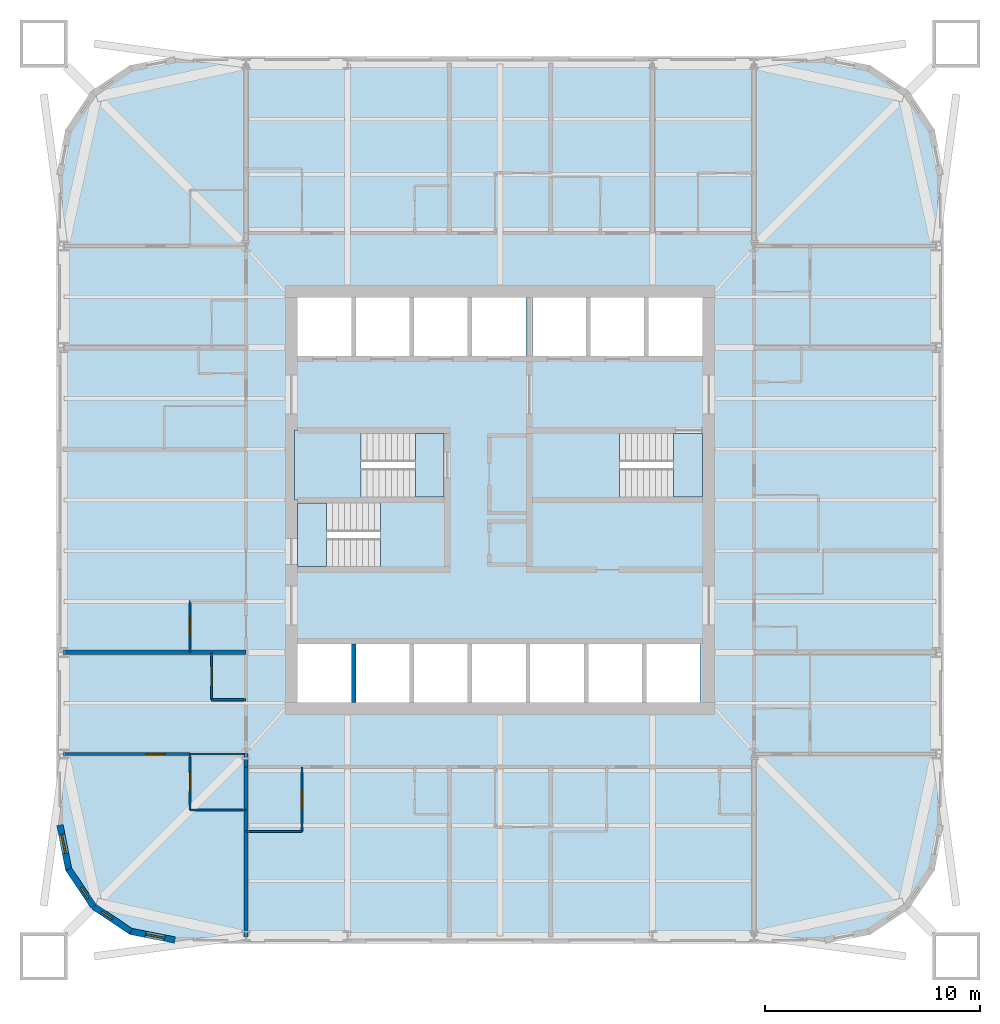
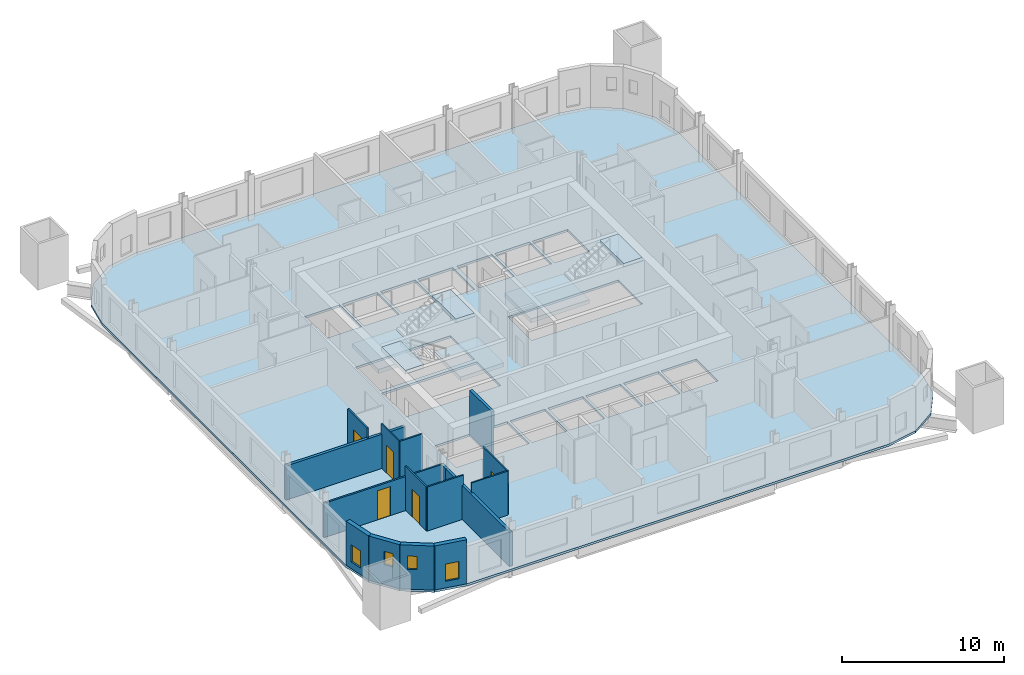
# One storey, part 2 of 9: 17 walls, 7 slabs, 5 doors, 4 windows, 9 openings, 3 elements without a shape of their own.
"""IFC4 building model written with IfcOpenShell, lengths in metres."""

from ifc_helpers import new_model, si_unit, direction, frame, frame_2d, origin, place, context, subcontext, project, spatial, polyline, rectangle, outline, extrude, material, layer, layer_set, type_object, element, fill, aggregate, save


model = new_model("IFC4")

# Units and contexts
model_context = context("Model", 3, precision=1e-05, world=origin(), true_north=direction((0.0, 1.0)))
body_context = subcontext(model_context, "Body", "Model", "MODEL_VIEW")
ifc_project = project(units=[si_unit("LENGTHUNIT", "METRE"), si_unit("AREAUNIT", "SQUARE_METRE"), si_unit("VOLUMEUNIT", "CUBIC_METRE"), si_unit("PLANEANGLEUNIT", "RADIAN"), si_unit("MASSUNIT", "GRAM", prefix="KILO")], contexts=[model_context])

# Site, building, storey
site_placement = place(None, origin())
site = spatial("IfcSite", under=ifc_project, at=site_placement, CompositionType="ELEMENT")
building_placement = place(site_placement, origin())
building = spatial("IfcBuilding", under=site, at=building_placement, Name="Turquesa Mirador Hotel Tower", CompositionType="ELEMENT")
storey_placement = place(building_placement, frame((0.0, 0.0, 96.89990234375)))
storey = spatial("IfcBuildingStorey", under=building, at=storey_placement, Name="L25", CompositionType="ELEMENT", Elevation=96.89990234375)

# Slab
ifc_material_1 = material(Name="Concrete C28/35", Category="concrete")
ifc_layer_1 = layer(ifc_material_1, 0.169921875)
ifc_layer_set_1 = layer_set([ifc_layer_1], Name="COMPOSITE FLOOR SLAB 170")
slab_type_1 = type_object("IfcSlabType", Name="COMPOSITE FLOOR SLAB 170", PredefinedType="FLOOR", material=ifc_layer_set_1)
slab_1_placement = place(storey_placement, frame((0.0, 0.0, -0.169921875)))
element("IfcSlab", 1, at=slab_1_placement, inside=storey, type_object=slab_type_1, Name="Floor slab L25", PredefinedType="FLOOR", context=body_context, shape_type="SweptSolid", body=[
    extrude(outline(polyline([(70.10009765625, 24.39990234375), (72.204833984375, 24.818603515625), (73.989013671875, 26.010986328125), (75.181396484375, 27.795166015625), (75.60009765625, 29.89990234375), (75.60009765625, 60.10009765625), (75.181396484375, 62.204833984375), (73.989013671875, 63.989013671875), (72.204833984375, 65.181396484375), (70.10009765625, 65.60009765625), (39.89990234375, 65.60009765625), (37.795166015625, 65.181396484375), (36.010986328125, 63.989013671875), (34.818603515625, 62.204833984375), (34.39990234375, 60.10009765625), (34.39990234375, 29.89990234375), (34.818603515625, 27.795166015625), (36.010986328125, 26.010986328125), (37.795166015625, 24.818603515625), (39.89990234375, 24.39990234375), (70.10009765625, 24.39990234375)]), holes=[polyline([(45.60009765625, 51.699951171875), (48.10009765625, 51.699951171875), (48.10009765625, 54.39990234375), (45.60009765625, 54.39990234375), (45.60009765625, 51.699951171875)]), polyline([(48.300048828125, 51.699951171875), (50.800048828125, 51.699951171875), (50.800048828125, 54.39990234375), (48.300048828125, 54.39990234375), (48.300048828125, 51.699951171875)]), polyline([(51.0, 51.699951171875), (53.5, 51.699951171875), (53.5, 54.39990234375), (51.0, 54.39990234375), (51.0, 51.699951171875)]), polyline([(53.699951171875, 51.699951171875), (56.199951171875, 51.699951171875), (56.199951171875, 54.39990234375), (53.699951171875, 54.39990234375), (53.699951171875, 51.699951171875)]), polyline([(56.5, 51.699951171875), (59.0, 51.699951171875), (59.0, 54.39990234375), (56.5, 54.39990234375), (56.5, 51.699951171875)]), polyline([(59.199951171875, 51.699951171875), (61.699951171875, 51.699951171875), (61.699951171875, 54.39990234375), (59.199951171875, 54.39990234375), (59.199951171875, 51.699951171875)]), polyline([(45.60009765625, 35.60009765625), (48.10009765625, 35.60009765625), (48.10009765625, 38.300048828125), (45.60009765625, 38.300048828125), (45.60009765625, 35.60009765625)]), polyline([(48.300048828125, 35.60009765625), (50.800048828125, 35.60009765625), (50.800048828125, 38.300048828125), (48.300048828125, 38.300048828125), (48.300048828125, 35.60009765625)]), polyline([(51.0, 35.60009765625), (53.5, 35.60009765625), (53.5, 38.300048828125), (51.0, 38.300048828125), (51.0, 35.60009765625)]), polyline([(53.699951171875, 35.60009765625), (56.199951171875, 35.60009765625), (56.199951171875, 38.300048828125), (53.699951171875, 38.300048828125), (53.699951171875, 35.60009765625)]), polyline([(56.39990234375, 35.60009765625), (58.89990234375, 35.60009765625), (58.89990234375, 38.300048828125), (56.39990234375, 38.300048828125), (56.39990234375, 35.60009765625)]), polyline([(59.10009765625, 35.60009765625), (61.60009765625, 35.60009765625), (61.60009765625, 38.300048828125), (59.10009765625, 38.300048828125), (59.10009765625, 35.60009765625)]), polyline([(61.800048828125, 35.60009765625), (64.300048828125, 35.60009765625), (64.300048828125, 38.300048828125), (61.800048828125, 38.300048828125), (61.800048828125, 35.60009765625)]), polyline([(45.60009765625, 45.14990234375), (52.39990234375, 45.14990234375), (52.39990234375, 48.10009765625), (45.60009765625, 48.10009765625), (45.60009765625, 45.14990234375)]), polyline([(45.60009765625, 41.89990234375), (52.39990234375, 41.89990234375), (52.39990234375, 44.85009765625), (45.60009765625, 44.85009765625), (45.60009765625, 41.89990234375)]), polyline([(56.5, 45.14990234375), (64.39990234375, 45.14990234375), (64.39990234375, 48.10009765625), (56.5, 48.10009765625), (56.5, 45.14990234375)]), polyline([(61.89990234375, 51.699951171875), (64.39990234375, 51.699951171875), (64.39990234375, 54.39990234375), (61.89990234375, 54.39990234375), (61.89990234375, 51.699951171875)])]), origin(), (0.0, 0.0, 1.0), 0.169921875),
])

# Stair, slabs
ifc_material_2 = material(Name="Concrete C35/45", Category="concrete")
stair_type = type_object("IfcStairType", Name="ESCAPE STAIR CORE", PredefinedType="HALF_TURN_STAIR", material=ifc_material_2)
stair_1_placement = place(storey_placement, origin())
stair_1 = element("IfcStair", 2, at=stair_1_placement, inside=storey, type_object=stair_type, Name="Stair ST1 L25 to L26", PredefinedType="HALF_TURN_STAIR")
ifc_material_3 = material(Name="Concrete C35/45", Category="concrete")
ifc_layer_2 = layer(ifc_material_3, 0.300048828125)
ifc_layer_set_2 = layer_set([ifc_layer_2], Name="STAIR LANDING 300")
slab_type_2 = type_object("IfcSlabType", Name="STAIR LANDING 300", PredefinedType="LANDING", material=ifc_layer_set_2)
slab_2_placement = place(storey_placement, frame((0.0, 0.0, 1.4501953125)))
slab_2 = element("IfcSlab", 3, at=slab_2_placement, type_object=slab_type_2, Name="ST1 landing 1", PredefinedType="LANDING", context=body_context, shape_type="SweptSolid", body=[
    extrude(outline(polyline([(45.449951171875, 45.0), (48.550048828125, 45.0), (48.550048828125, 48.25), (45.449951171875, 48.25), (45.449951171875, 45.0)])), origin(), (0.0, 0.0, 1.0), 0.2998046875),
])
slab_3_placement = place(storey_placement, frame((0.0, 0.0, 3.2001953125)))
slab_3 = element("IfcSlab", 4, at=slab_3_placement, type_object=slab_type_2, Name="ST1 landing 2", PredefinedType="LANDING", context=body_context, shape_type="SweptSolid", body=[
    extrude(outline(polyline([(51.070068359375, 45.14990234375), (52.39990234375, 45.14990234375), (52.39990234375, 48.10009765625), (51.070068359375, 48.10009765625), (51.070068359375, 45.14990234375)])), origin(), (0.0, 0.0, 1.0), 0.2998046875),
])
aggregate(stair_1, [slab_2, slab_3])

stair_2_placement = place(storey_placement, origin())
stair_2 = element("IfcStair", 5, at=stair_2_placement, inside=storey, type_object=stair_type, Name="Stair ST2 L25 to L26", PredefinedType="HALF_TURN_STAIR")
slab_4_placement = place(storey_placement, frame((0.0, 0.0, 1.4501953125)))
slab_4 = element("IfcSlab", 6, at=slab_4_placement, type_object=slab_type_2, Name="ST2 landing 1", PredefinedType="LANDING", context=body_context, shape_type="SweptSolid", body=[
    extrude(outline(polyline([(52.550048828125, 45.0), (49.449951171875, 45.0), (49.449951171875, 41.75), (52.550048828125, 41.75), (52.550048828125, 45.0)])), origin(), (0.0, 0.0, 1.0), 0.2998046875),
])
slab_5_placement = place(storey_placement, frame((0.0, 0.0, 3.2001953125)))
slab_5 = element("IfcSlab", 7, at=slab_5_placement, type_object=slab_type_2, Name="ST2 landing 2", PredefinedType="LANDING", context=body_context, shape_type="SweptSolid", body=[
    extrude(outline(polyline([(46.929931640625, 44.85009765625), (45.60009765625, 44.85009765625), (45.60009765625, 41.89990234375), (46.929931640625, 41.89990234375), (46.929931640625, 44.85009765625)])), origin(), (0.0, 0.0, 1.0), 0.2998046875),
])
aggregate(stair_2, [slab_4, slab_5])

stair_3_placement = place(storey_placement, origin())
stair_3 = element("IfcStair", 8, at=stair_3_placement, inside=storey, type_object=stair_type, Name="Stair ST3 L25 to L26", PredefinedType="HALF_TURN_STAIR")
slab_6_placement = place(storey_placement, frame((0.0, 0.0, 1.4501953125)))
slab_6 = element("IfcSlab", 9, at=slab_6_placement, type_object=slab_type_2, Name="ST3 landing 1", PredefinedType="LANDING", context=body_context, shape_type="SweptSolid", body=[
    extrude(outline(polyline([(56.35009765625, 45.0), (60.550048828125, 45.0), (60.550048828125, 48.25), (56.35009765625, 48.25), (56.35009765625, 45.0)])), origin(), (0.0, 0.0, 1.0), 0.2998046875),
])
slab_7_placement = place(storey_placement, frame((0.0, 0.0, 3.2001953125)))
slab_7 = element("IfcSlab", 10, at=slab_7_placement, type_object=slab_type_2, Name="ST3 landing 2", PredefinedType="LANDING", context=body_context, shape_type="SweptSolid", body=[
    extrude(outline(polyline([(63.070068359375, 45.14990234375), (64.39990234375, 45.14990234375), (64.39990234375, 48.10009765625), (63.070068359375, 48.10009765625), (63.070068359375, 45.14990234375)])), origin(), (0.0, 0.0, 1.0), 0.2998046875),
])
aggregate(stair_3, [slab_6, slab_7])

# Walls
ifc_material_4 = material(Name="Gypsum board on steel studs", Category="steel")
ifc_layer_3 = layer(ifc_material_4, 0.10009765625)
ifc_layer_set_3 = layer_set([ifc_layer_3], Name="BATHROOM WALL 100")
wall_type_1 = type_object("IfcWallType", Name="BATHROOM WALL 100", PredefinedType="PARTITIONING", material=ifc_layer_set_3)
wall_1_placement = place(storey_placement, frame((40.60009765625, 33.199951171875, 0.0), z_axis=(0.0, 0.0, 1.0), x_axis=(1.0, 0.0, 0.0)))
element("IfcWall", 11, at=wall_1_placement, inside=storey, type_object=wall_type_1, Name="Partition L25 001", PredefinedType="PARTITIONING", context=body_context, shape_type="SweptSolid", body=[
    extrude(rectangle(XDim=2.599853515625, YDim=0.10009765625, at=frame_2d((1.2998046875, 0.0))), origin(), (0.0, 0.0, 1.0), 2.5732421875),
])
wall_2_placement = place(storey_placement, frame((40.60009765625, 30.60009765625, 0.0), z_axis=(0.0, 0.0, 1.0), x_axis=(1.0, 0.0, 0.0)))
element("IfcWall", 12, at=wall_2_placement, inside=storey, type_object=wall_type_1, Name="Partition L25 005", PredefinedType="PARTITIONING", context=body_context, shape_type="SweptSolid", body=[
    extrude(rectangle(XDim=2.599853515625, YDim=0.10009765625, at=frame_2d((1.2998046875, 0.0))), origin(), (0.0, 0.0, 1.0), 3.330078125),
])
wall_3_placement = place(storey_placement, frame((43.199951171875, 29.60009765625, 0.0), z_axis=(0.0, 0.0, 1.0), x_axis=(1.0, 0.0, 0.0)))
element("IfcWall", 13, at=wall_3_placement, inside=storey, type_object=wall_type_1, Name="Partition L25 009", PredefinedType="PARTITIONING", context=body_context, shape_type="SweptSolid", body=[
    extrude(rectangle(XDim=2.60009765625, YDim=0.10009765625, at=frame_2d((1.300048828125, 0.0))), origin(), (0.0, 0.0, 1.0), 3.330078125),
])
wall_4_placement = place(storey_placement, frame((41.60009765625, 35.719970703125, 0.0), z_axis=(0.0, 0.0, 1.0), x_axis=(1.0, 0.0, 0.0)))
element("IfcWall", 14, at=wall_4_placement, inside=storey, type_object=wall_type_1, Name="Partition L25 018", PredefinedType="PARTITIONING", context=body_context, shape_type="SweptSolid", body=[
    extrude(rectangle(XDim=1.599853515625, YDim=0.10009765625, at=frame_2d((0.7998046875, 0.0))), origin(), (0.0, 0.0, 1.0), 3.330078125),
])

# Wall, opening, door
wall_5_placement = place(storey_placement, frame((41.60009765625, 35.719970703125, 0.0), z_axis=(0.0, 0.0, 1.0), x_axis=(0.0, 1.0, 0.0)))
wall_5 = element("IfcWall", 15, at=wall_5_placement, inside=storey, type_object=wall_type_1, Name="Partition L25 044", PredefinedType="PARTITIONING", context=body_context, shape_type="SweptSolid", body=[
    extrude(rectangle(XDim=2.199951171875, YDim=0.10009765625, at=frame_2d((1.10009765625, 0.0))), origin(), (0.0, 0.0, 1.0), 3.330078125),
])
opening_1_placement = place(wall_5_placement, frame((0.64990234375, 0.0, 0.0)))
opening_1 = element("IfcOpeningElement", 16, at=opening_1_placement, cuts=wall_5, Name="Opening D06", PredefinedType="OPENING", context=body_context, shape_type="SweptSolid", body=[
    extrude(rectangle(XDim=0.89990234375, YDim=2.10009765625, at=frame_2d((0.449951171875, 1.050048828125))), frame((0.0, 0.06005859375, 0.0), z_axis=(0.0, -1.0, 0.0), x_axis=(1.0, 0.0, 0.0)), (0.0, 0.0, 1.0), 0.1201171875),
])
ifc_material_5 = material(Name="Laminate door", Category="wood")
door_type_1 = type_object("IfcDoorType", Name="DOOR 900X2100 WC", OperationType="SINGLE_SWING_LEFT", PredefinedType="DOOR", material=ifc_material_5)
door_1_placement = place(opening_1_placement, origin())
door_1 = element("IfcDoor", 17, at=door_1_placement, inside=storey, type_object=door_type_1, Name="Door 2513W", OperationType="SINGLE_SWING_LEFT", OverallHeight=2.10009765625, OverallWidth=0.89990234375, PredefinedType="DOOR", context=body_context, shape_type="SweptSolid", body=[
    extrude(rectangle(XDim=0.89990234375, YDim=2.10009765625, at=frame_2d((0.449951171875, 1.050048828125))), frame((0.0, 0.02490234375, 0.0), z_axis=(0.0, -1.0, 0.0), x_axis=(1.0, 0.0, 0.0)), (0.0, 0.0, 1.0), 0.050048828125),
])
fill(opening_1, door_1)

wall_6_placement = place(storey_placement, frame((40.60009765625, 30.60009765625, 0.0), z_axis=(0.0, 0.0, 1.0), x_axis=(0.0, 1.0, 0.0)))
wall_6 = element("IfcWall", 18, at=wall_6_placement, inside=storey, type_object=wall_type_1, Name="Partition L25 047", PredefinedType="PARTITIONING", context=body_context, shape_type="SweptSolid", body=[
    extrude(rectangle(XDim=2.599853515625, YDim=0.10009765625, at=frame_2d((1.2998046875, 0.0))), origin(), (0.0, 0.0, 1.0), 3.330078125),
])
opening_2_placement = place(wall_6_placement, frame((0.85009765625, 0.0, 0.0)))
opening_2 = element("IfcOpeningElement", 19, at=opening_2_placement, cuts=wall_6, Name="Opening D02", PredefinedType="OPENING", context=body_context, shape_type="SweptSolid", body=[
    extrude(rectangle(XDim=0.89990234375, YDim=2.10009765625, at=frame_2d((0.449951171875, 1.050048828125))), frame((0.0, 0.06005859375, 0.0), z_axis=(0.0, -1.0, 0.0), x_axis=(1.0, 0.0, 0.0)), (0.0, 0.0, 1.0), 0.1201171875),
])
ifc_material_6 = material(Name="Timber veneered door", Category="wood")
door_type_2 = type_object("IfcDoorType", Name="DOOR 900X2100 EN-SUITE", OperationType="SINGLE_SWING_RIGHT", PredefinedType="DOOR", material=ifc_material_6)
door_2_placement = place(opening_2_placement, origin())
door_2 = element("IfcDoor", 20, at=door_2_placement, inside=storey, type_object=door_type_2, Name="Door 2513B", OperationType="SINGLE_SWING_RIGHT", OverallHeight=2.10009765625, OverallWidth=0.89990234375, PredefinedType="DOOR", context=body_context, shape_type="SweptSolid", body=[
    extrude(rectangle(XDim=0.89990234375, YDim=2.10009765625, at=frame_2d((0.449951171875, 1.050048828125))), frame((0.0, 0.02490234375, 0.0), z_axis=(0.0, -1.0, 0.0), x_axis=(1.0, 0.0, 0.0)), (0.0, 0.0, 1.0), 0.050048828125),
])
fill(opening_2, door_2)

wall_7_placement = place(storey_placement, frame((40.60009765625, 37.919921875, 0.0), z_axis=(0.0, 0.0, 1.0), x_axis=(0.0, 1.0, 0.0)))
wall_7 = element("IfcWall", 21, at=wall_7_placement, inside=storey, type_object=wall_type_1, Name="Partition L25 048", PredefinedType="PARTITIONING", context=body_context, shape_type="SweptSolid", body=[
    extrude(rectangle(XDim=2.400146484375, YDim=0.10009765625, at=frame_2d((1.2001953125, 0.0))), origin(), (0.0, 0.0, 1.0), 3.330078125),
])
opening_3_placement = place(wall_7_placement, frame((0.75, 0.0, 0.0)))
opening_3 = element("IfcOpeningElement", 22, at=opening_3_placement, cuts=wall_7, Name="Opening D17", PredefinedType="OPENING", context=body_context, shape_type="SweptSolid", body=[
    extrude(rectangle(XDim=0.89990234375, YDim=2.199951171875, at=frame_2d((0.449951171875, 1.10009765625))), frame((0.0, 0.06005859375, 0.0), z_axis=(0.0, -1.0, 0.0), x_axis=(1.0, 0.0, 0.0)), (0.0, 0.0, 1.0), 0.1201171875),
])
ifc_material_7 = material(Name="Timber veneered door", Category="wood")
door_type_3 = type_object("IfcDoorType", Name="DOOR 900X2200 SUITE INTERNAL", OperationType="SINGLE_SWING_LEFT", PredefinedType="DOOR", material=ifc_material_7)
door_3_placement = place(opening_3_placement, origin())
door_3 = element("IfcDoor", 23, at=door_3_placement, inside=storey, type_object=door_type_3, Name="Door L25-LGP", OperationType="SINGLE_SWING_LEFT", OverallHeight=2.199951171875, OverallWidth=0.89990234375, PredefinedType="DOOR", context=body_context, shape_type="SweptSolid", body=[
    extrude(rectangle(XDim=0.89990234375, YDim=2.199951171875, at=frame_2d((0.449951171875, 1.10009765625))), frame((0.0, 0.02490234375, 0.0), z_axis=(0.0, -1.0, 0.0), x_axis=(1.0, 0.0, 0.0)), (0.0, 0.0, 1.0), 0.050048828125),
])
fill(opening_3, door_3)

wall_8_placement = place(storey_placement, frame((45.800048828125, 29.60009765625, 0.0), z_axis=(0.0, 0.0, 1.0), x_axis=(0.0, 1.0, 0.0)))
wall_8 = element("IfcWall", 24, at=wall_8_placement, inside=storey, type_object=wall_type_1, Name="Partition L25 055", PredefinedType="PARTITIONING", context=body_context, shape_type="SweptSolid", body=[
    extrude(rectangle(XDim=3.0, YDim=0.10009765625, at=frame_2d((1.5, 0.0))), origin(), (0.0, 0.0, 1.0), 3.330078125),
])
opening_4_placement = place(wall_8_placement, frame((1.050048828125, 0.0, 0.0)))
opening_4 = element("IfcOpeningElement", 25, at=opening_4_placement, cuts=wall_8, Name="Opening D02", PredefinedType="OPENING", context=body_context, shape_type="SweptSolid", body=[
    extrude(rectangle(XDim=0.89990234375, YDim=2.10009765625, at=frame_2d((0.449951171875, 1.050048828125))), frame((0.0, 0.06005859375, 0.0), z_axis=(0.0, -1.0, 0.0), x_axis=(1.0, 0.0, 0.0)), (0.0, 0.0, 1.0), 0.1201171875),
])
door_4_placement = place(opening_4_placement, origin())
door_4 = element("IfcDoor", 26, at=door_4_placement, inside=storey, type_object=door_type_2, Name="Door 2505B", OperationType="SINGLE_SWING_RIGHT", OverallHeight=2.10009765625, OverallWidth=0.89990234375, PredefinedType="DOOR", context=body_context, shape_type="SweptSolid", body=[
    extrude(rectangle(XDim=0.89990234375, YDim=2.10009765625, at=frame_2d((0.449951171875, 1.050048828125))), frame((0.0, 0.02490234375, 0.0), z_axis=(0.0, -1.0, 0.0), x_axis=(1.0, 0.0, 0.0)), (0.0, 0.0, 1.0), 0.050048828125),
])
fill(opening_4, door_4)

# Wall
ifc_material_8 = material(Name="Fire-rated gypsum board on steel studs", Category="steel")
ifc_layer_4 = layer(ifc_material_8, 0.199951171875)
ifc_layer_set_4 = layer_set([ifc_layer_4], Name="CORRIDOR WALL 200")
wall_type_2 = type_object("IfcWallType", Name="CORRIDOR WALL 200", PredefinedType="PARTITIONING", material=ifc_layer_set_4)
wall_9_placement = place(storey_placement, frame((43.199951171875, 32.60009765625, 0.0), z_axis=(0.0, 0.0, 1.0), x_axis=(0.0, 1.0, 0.0)))
element("IfcWall", 27, at=wall_9_placement, inside=storey, type_object=wall_type_2, Name="Partition L25 077", PredefinedType="PARTITIONING", context=body_context, shape_type="SweptSolid", body=[
    extrude(rectangle(XDim=0.619873046875, YDim=0.199951171875, at=frame_2d((0.31005859375, 0.0))), origin(), (0.0, 0.0, 1.0), 2.5732421875),
])

# Wall, opening, window
ifc_material_9 = material(Name="Limestone cladding on concrete block", Category="masonry")
ifc_layer_5 = layer(ifc_material_9, 0.300048828125)
ifc_layer_set_5 = layer_set([ifc_layer_5], Name="FACADE WALL 300 STONE SCREEN")
wall_type_3 = type_object("IfcWallType", Name="FACADE WALL 300 STONE SCREEN", PredefinedType="SOLIDWALL", material=ifc_layer_set_5)
wall_10_placement = place(storey_placement, frame((34.550048828125, 29.89990234375, 0.0), z_axis=(0.0, 0.0, 1.0), x_axis=(0.195081421501, -0.980787050784, 0.0)))
wall_10 = element("IfcWall", 28, at=wall_10_placement, inside=storey, type_object=wall_type_3, Name="Facade wall L25 15", PredefinedType="SOLIDWALL", context=body_context, shape_type="SweptSolid", body=[
    extrude(rectangle(XDim=2.08740234375, YDim=0.300048828125, at=frame_2d((1.043701171875, 0.0))), origin(), (0.0, 0.0, 1.0), 3.330078125),
])
opening_5_placement = place(wall_10_placement, frame((0.443603515625, 0.0, 0.5)))
opening_5 = element("IfcOpeningElement", 29, at=opening_5_placement, cuts=wall_10, Name="Opening WN21", PredefinedType="OPENING", context=body_context, shape_type="SweptSolid", body=[
    extrude(rectangle(XDim=0.89990234375, YDim=1.300048828125, at=frame_2d((0.449951171875, 0.64990234375))), frame((0.0, 0.159912109375, 0.0), z_axis=(0.0, -1.0, 0.0), x_axis=(1.0, 0.0, 0.0)), (0.0, 0.0, 1.0), 0.320068359375),
])
ifc_material_10 = material(Name="Ceramic-fritted laminated glass", Category="glass")
window_type_1 = type_object("IfcWindowType", Name="FRITTED CORNER WINDOW 900X1300", PartitioningType="DOUBLE_PANEL_HORIZONTAL", PredefinedType="WINDOW", material=ifc_material_10)
window_1_placement = place(opening_5_placement, origin())
window_1 = element("IfcWindow", 30, at=window_1_placement, inside=storey, type_object=window_type_1, Name="Window L25", OverallHeight=1.300048828125, OverallWidth=0.89990234375, PartitioningType="SINGLE_PANEL", PredefinedType="WINDOW", context=body_context, shape_type="SweptSolid", body=[
    extrude(rectangle(XDim=0.89990234375, YDim=1.300048828125, at=frame_2d((0.449951171875, 0.64990234375))), frame((0.0, 0.030029296875, 0.0), z_axis=(0.0, -1.0, 0.0), x_axis=(1.0, 0.0, 0.0)), (0.0, 0.0, 1.0), 0.06005859375),
])
fill(opening_5, window_1)

wall_11_placement = place(storey_placement, frame((34.957275390625, 27.8525390625, 0.0), z_axis=(0.0, 0.0, 1.0), x_axis=(0.555563607591, -0.831474039234, 0.0)))
wall_11 = element("IfcWall", 31, at=wall_11_placement, inside=storey, type_object=wall_type_3, Name="Facade wall L25 16", PredefinedType="SOLIDWALL", context=body_context, shape_type="SweptSolid", body=[
    extrude(rectangle(XDim=2.08740234375, YDim=0.300048828125, at=frame_2d((1.043701171875, 0.0))), origin(), (0.0, 0.0, 1.0), 3.330078125),
])
opening_6_placement = place(wall_11_placement, frame((1.043701171875, 0.0, 1.5)))
opening_6 = element("IfcOpeningElement", 32, at=opening_6_placement, cuts=wall_11, Name="Opening WN11", PredefinedType="OPENING", context=body_context, shape_type="SweptSolid", body=[
    extrude(rectangle(XDim=0.60009765625, YDim=1.0, at=frame_2d((0.300048828125, 0.5))), frame((0.0, 0.159912109375, 0.0), z_axis=(0.0, -1.0, 0.0), x_axis=(1.0, 0.0, 0.0)), (0.0, 0.0, 1.0), 0.320068359375),
])
ifc_material_11 = material(Name="Ceramic-fritted laminated glass", Category="glass")
window_type_2 = type_object("IfcWindowType", Name="FRITTED CORNER WINDOW 600X1000", PartitioningType="DOUBLE_PANEL_HORIZONTAL", PredefinedType="WINDOW", material=ifc_material_11)
window_2_placement = place(opening_6_placement, origin())
window_2 = element("IfcWindow", 33, at=window_2_placement, inside=storey, type_object=window_type_2, Name="Window L25", OverallHeight=1.0, OverallWidth=0.60009765625, PartitioningType="SINGLE_PANEL", PredefinedType="WINDOW", context=body_context, shape_type="SweptSolid", body=[
    extrude(rectangle(XDim=0.60009765625, YDim=1.0, at=frame_2d((0.300048828125, 0.5))), frame((0.0, 0.030029296875, 0.0), z_axis=(0.0, -1.0, 0.0), x_axis=(1.0, 0.0, 0.0)), (0.0, 0.0, 1.0), 0.06005859375),
])
fill(opening_6, window_2)

wall_12_placement = place(storey_placement, frame((36.116943359375, 26.116943359375, 0.0), z_axis=(0.0, 0.0, 1.0), x_axis=(0.831474039234, -0.555563607591, 0.0)))
wall_12 = element("IfcWall", 34, at=wall_12_placement, inside=storey, type_object=wall_type_3, Name="Facade wall L25 17", PredefinedType="SOLIDWALL", context=body_context, shape_type="SweptSolid", body=[
    extrude(rectangle(XDim=2.08740234375, YDim=0.300048828125, at=frame_2d((1.043701171875, 0.0))), origin(), (0.0, 0.0, 1.0), 3.330078125),
])
opening_7_placement = place(wall_12_placement, frame((0.443603515625, 0.0, 1.5)))
opening_7 = element("IfcOpeningElement", 35, at=opening_7_placement, cuts=wall_12, Name="Opening WN11", PredefinedType="OPENING", context=body_context, shape_type="SweptSolid", body=[
    extrude(rectangle(XDim=0.60009765625, YDim=1.0, at=frame_2d((0.300048828125, 0.5))), frame((0.0, 0.159912109375, 0.0), z_axis=(0.0, -1.0, 0.0), x_axis=(1.0, 0.0, 0.0)), (0.0, 0.0, 1.0), 0.320068359375),
])
window_3_placement = place(opening_7_placement, origin())
window_3 = element("IfcWindow", 36, at=window_3_placement, inside=storey, type_object=window_type_2, Name="Window L25", OverallHeight=1.0, OverallWidth=0.60009765625, PartitioningType="SINGLE_PANEL", PredefinedType="WINDOW", context=body_context, shape_type="SweptSolid", body=[
    extrude(rectangle(XDim=0.60009765625, YDim=1.0, at=frame_2d((0.300048828125, 0.5))), frame((0.0, 0.030029296875, 0.0), z_axis=(0.0, -1.0, 0.0), x_axis=(1.0, 0.0, 0.0)), (0.0, 0.0, 1.0), 0.06005859375),
])
fill(opening_7, window_3)

wall_13_placement = place(storey_placement, frame((37.8525390625, 24.957275390625, 0.0), z_axis=(0.0, 0.0, 1.0), x_axis=(0.980787050784, -0.195081421501, 0.0)))
wall_13 = element("IfcWall", 37, at=wall_13_placement, inside=storey, type_object=wall_type_3, Name="Facade wall L25 18", PredefinedType="SOLIDWALL", context=body_context, shape_type="SweptSolid", body=[
    extrude(rectangle(XDim=2.08740234375, YDim=0.300048828125, at=frame_2d((1.043701171875, 0.0))), origin(), (0.0, 0.0, 1.0), 3.330078125),
])
opening_8_placement = place(wall_13_placement, frame((0.693603515625, 0.0, 0.5)))
opening_8 = element("IfcOpeningElement", 38, at=opening_8_placement, cuts=wall_13, Name="Opening WN21", PredefinedType="OPENING", context=body_context, shape_type="SweptSolid", body=[
    extrude(rectangle(XDim=0.89990234375, YDim=1.300048828125, at=frame_2d((0.449951171875, 0.64990234375))), frame((0.0, 0.159912109375, 0.0), z_axis=(0.0, -1.0, 0.0), x_axis=(1.0, 0.0, 0.0)), (0.0, 0.0, 1.0), 0.320068359375),
])
window_4_placement = place(opening_8_placement, origin())
window_4 = element("IfcWindow", 39, at=window_4_placement, inside=storey, type_object=window_type_1, Name="Window L25", OverallHeight=1.300048828125, OverallWidth=0.89990234375, PartitioningType="SINGLE_PANEL", PredefinedType="WINDOW", context=body_context, shape_type="SweptSolid", body=[
    extrude(rectangle(XDim=0.89990234375, YDim=1.300048828125, at=frame_2d((0.449951171875, 0.64990234375))), frame((0.0, 0.030029296875, 0.0), z_axis=(0.0, -1.0, 0.0), x_axis=(1.0, 0.0, 0.0)), (0.0, 0.0, 1.0), 0.06005859375),
])
fill(opening_8, window_4)

# Walls
ifc_material_12 = material(Name="Fire-rated gypsum shaft wall on steel studs", Category="steel")
ifc_layer_6 = layer(ifc_material_12, 0.199951171875)
ifc_layer_set_6 = layer_set([ifc_layer_6], Name="LIFT SHAFT DIVIDER 200")
wall_type_4 = type_object("IfcWallType", Name="LIFT SHAFT DIVIDER 200", PredefinedType="PARTITIONING", material=ifc_layer_set_6)
wall_14_placement = place(storey_placement, frame((48.199951171875, 35.60009765625, 0.0), z_axis=(0.0, 0.0, 1.0), x_axis=(0.0, 1.0, 0.0)))
element("IfcWall", 40, at=wall_14_placement, inside=storey, type_object=wall_type_4, Name="Lift shaft divider", PredefinedType="PARTITIONING", context=body_context, shape_type="SweptSolid", body=[
    extrude(rectangle(XDim=2.699951171875, YDim=0.199951171875, at=frame_2d((1.35009765625, 0.0))), origin(), (0.0, 0.0, 1.0), 3.330078125),
])
ifc_material_13 = material(Name="Fire-rated gypsum board on steel studs", Category="steel")
ifc_layer_7 = layer(ifc_material_13, 0.199951171875)
ifc_layer_set_7 = layer_set([ifc_layer_7], Name="PARTY WALL 200")
wall_type_5 = type_object("IfcWallType", Name="PARTY WALL 200", PredefinedType="PARTITIONING", material=ifc_layer_set_7)
wall_15_placement = place(storey_placement, frame((34.699951171875, 37.919921875, 0.0), z_axis=(0.0, 0.0, 1.0), x_axis=(1.0, 0.0, 0.0)))
element("IfcWall", 41, at=wall_15_placement, inside=storey, type_object=wall_type_5, Name="Partition L25 016", PredefinedType="PARTITIONING", context=body_context, shape_type="SweptSolid", body=[
    extrude(rectangle(XDim=8.5, YDim=0.199951171875, at=frame_2d((4.25, 0.0))), origin(), (0.0, 0.0, 1.0), 2.5732421875),
])
wall_16_placement = place(storey_placement, frame((43.199951171875, 24.699951171875, 0.0), z_axis=(0.0, 0.0, 1.0), x_axis=(0.0, 1.0, 0.0)))
element("IfcWall", 42, at=wall_16_placement, inside=storey, type_object=wall_type_5, Name="Partition L25 042", PredefinedType="PARTITIONING", context=body_context, shape_type="SweptSolid", body=[
    extrude(rectangle(XDim=7.900146484375, YDim=0.199951171875, at=frame_2d((3.9501953125, 0.0))), origin(), (0.0, 0.0, 1.0), 2.5732421875),
])

# Wall, opening, door
ifc_material_14 = material(Name="Acoustic gypsum board on steel studs", Category="steel")
ifc_layer_8 = layer(ifc_material_14, 0.125)
ifc_layer_set_8 = layer_set([ifc_layer_8], Name="SUITE PARTITION 125")
wall_type_6 = type_object("IfcWallType", Name="SUITE PARTITION 125", PredefinedType="PARTITIONING", material=ifc_layer_set_8)
wall_17_placement = place(storey_placement, frame((34.699951171875, 33.199951171875, 0.0), z_axis=(0.0, 0.0, 1.0), x_axis=(1.0, 0.0, 0.0)))
wall_17 = element("IfcWall", 43, at=wall_17_placement, inside=storey, type_object=wall_type_6, Name="Partition L25 002", PredefinedType="PARTITIONING", context=body_context, shape_type="SweptSolid", body=[
    extrude(rectangle(XDim=5.900146484375, YDim=0.125, at=frame_2d((2.9501953125, 0.0))), origin(), (0.0, 0.0, 1.0), 2.5732421875),
])
opening_9_placement = place(wall_17_placement, frame((3.85009765625, 0.0, 0.0)))
opening_9 = element("IfcOpeningElement", 44, at=opening_9_placement, cuts=wall_17, Name="Opening D17", PredefinedType="OPENING", context=body_context, shape_type="SweptSolid", body=[
    extrude(rectangle(XDim=0.89990234375, YDim=2.199951171875, at=frame_2d((0.449951171875, 1.10009765625))), frame((0.0, 0.072509765625, 0.0), z_axis=(0.0, -1.0, 0.0), x_axis=(1.0, 0.0, 0.0)), (0.0, 0.0, 1.0), 0.14501953125),
])
door_5_placement = place(opening_9_placement, origin())
door_5 = element("IfcDoor", 45, at=door_5_placement, inside=storey, type_object=door_type_3, Name="Door 2513R", OperationType="SINGLE_SWING_LEFT", OverallHeight=2.199951171875, OverallWidth=0.89990234375, PredefinedType="DOOR", context=body_context, shape_type="SweptSolid", body=[
    extrude(rectangle(XDim=0.89990234375, YDim=2.199951171875, at=frame_2d((0.449951171875, 1.10009765625))), frame((0.0, 0.02490234375, 0.0), z_axis=(0.0, -1.0, 0.0), x_axis=(1.0, 0.0, 0.0)), (0.0, 0.0, 1.0), 0.050048828125),
])
fill(opening_9, door_5)

save(model, "model.ifc")
